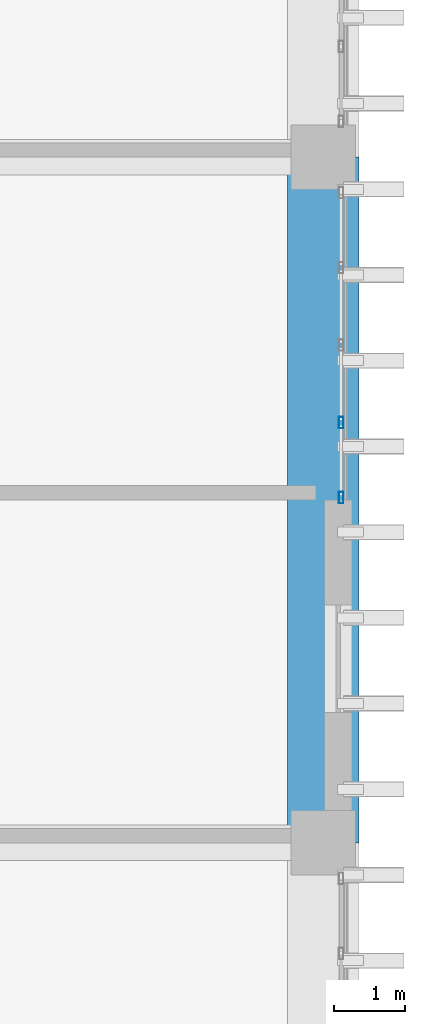
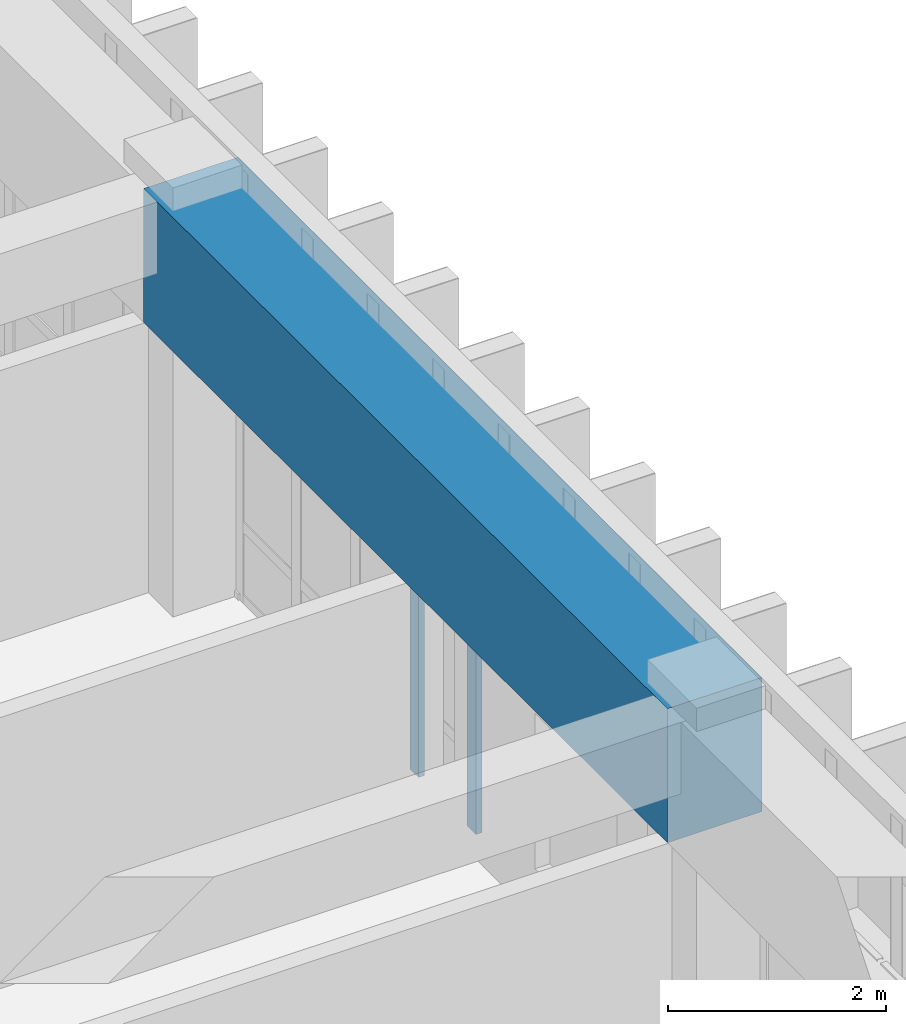
# One storey, part 34 of 101: 2 members, 1 beam, 1 element without a shape of its own.
"""IFC4 building model written with IfcOpenShell, lengths in metres."""

from ifc_helpers import new_model, si_unit, direction, frame, origin, origin_2d, place, context, subcontext, project, spatial, rectangle, hollow_rectangle, extrude, material, layer, layer_set, material_profile, profile_set, type_object, element, aggregate, save


model = new_model("IFC4")

# Units and contexts
model_context = context("Model", 3, precision=1e-05, world=origin(), true_north=direction((0.0, 1.0)))
body_context = subcontext(model_context, "Body", "Model", "MODEL_VIEW")
ifc_project = project(units=[si_unit("LENGTHUNIT", "METRE"), si_unit("AREAUNIT", "SQUARE_METRE"), si_unit("VOLUMEUNIT", "CUBIC_METRE"), si_unit("PLANEANGLEUNIT", "RADIAN"), si_unit("MASSUNIT", "GRAM", prefix="KILO")], contexts=[model_context])

# Site, building, storey
site_placement = place(None, origin())
site = spatial("IfcSite", under=ifc_project, at=site_placement, CompositionType="ELEMENT")
building_placement = place(site_placement, origin())
building = spatial("IfcBuilding", under=site, at=building_placement, Name="Nakhvara Creek Congress Hotel", CompositionType="ELEMENT")
storey_placement = place(building_placement, frame((0.0, 0.0, 16.199951171875)))
storey = spatial("IfcBuildingStorey", under=building, at=storey_placement, Name="L03", CompositionType="ELEMENT", Elevation=16.199951171875)

# Beam
ifc_material_1 = material(Name="Concrete C50/60", Category="concrete")
ifc_material_profile_1 = material_profile(ifc_material_1, rectangle(XDim=1.0, YDim=1.5, at=origin_2d()), Name="RC-TG 1000x1500", Category="LoadBearing")
ifc_profile_set_1 = profile_set([ifc_material_profile_1], Name="Concrete C50/60")
beam_type = type_object("IfcBeamType", Name="BM-TG2-1500", PredefinedType="BEAM", material=ifc_profile_set_1)
beam_placement = place(storey_placement, frame((179.35009765625, 9.60009765625, 3.7900390625), z_axis=(0.0, 1.0, 0.0), x_axis=(-1.0, 0.0, 0.0)))
element("IfcBeam", 1, at=beam_placement, inside=storey, type_object=beam_type, Name="Transfer Girder TG2-L03-1897", PredefinedType="BEAM", context=body_context, shape_type="SweptSolid", body=[
    extrude(rectangle(XDim=1.0, YDim=1.5, at=origin_2d()), origin(), (0.0, 0.0, 1.0), 9.599853515625),
])

# Curtain wall, members
ifc_material_2 = material(Name="Bronze-anodised aluminium AW-6063-T6 and double-silver low-E glass", Category="aluminium")
ifc_layer = layer(ifc_material_2, 0.199951171875)
ifc_layer_set = layer_set([ifc_layer], Name="Bronze-anodised aluminium AW-6063-T6 and double-silver low-E glass")
curtain_wall_type = type_object("IfcCurtainWallType", Name="CW-HTL-UNIT", PredefinedType="USERDEFINED", material=ifc_layer_set)
curtain_wall_placement = place(storey_placement, origin())
curtain_wall = element("IfcCurtainWall", 2, at=curtain_wall_placement, inside=storey, type_object=curtain_wall_type, Name="Curtain Wall CW152", ObjectType="UNITISED", PredefinedType="USERDEFINED")
ifc_material_3 = material(Name="Bronze-anodised aluminium AW-6063-T6", Category="aluminium")
ifc_material_profile_2 = material_profile(ifc_material_3, hollow_rectangle(XDim=0.06494140625, YDim=0.159912109375, WallThickness=0.00390625, at=origin_2d()), Name="ALU-MULL 65x160x4", Category="LoadBearing")
ifc_profile_set_2 = profile_set([ifc_material_profile_2], Name="Bronze-anodised aluminium AW-6063-T6")
member_type = type_object("IfcMemberType", Name="CW-MULL-160", PredefinedType="MULLION", material=ifc_profile_set_2)
member_1_placement = place(storey_placement, frame((179.60009765625, 15.483642578125, 0.0), z_axis=(0.0, 0.0, 1.0), x_axis=(1.0, 0.0, 0.0)))
member_1 = element("IfcMember", 3, at=member_1_placement, type_object=member_type, Name="CW152 mullion 4", PredefinedType="MULLION", context=body_context, shape_type="SweptSolid", body=[
    extrude(hollow_rectangle(XDim=0.06494140625, YDim=0.159912109375, WallThickness=0.00390625, at=origin_2d()), origin(), (0.0, 0.0, 1.0), 3.031982421875),
])
member_2_placement = place(storey_placement, frame((179.60009765625, 14.4326171875, 0.0), z_axis=(0.0, 0.0, 1.0), x_axis=(1.0, 0.0, 0.0)))
member_2 = element("IfcMember", 4, at=member_2_placement, type_object=member_type, Name="CW152 mullion 5", PredefinedType="MULLION", context=body_context, shape_type="SweptSolid", body=[
    extrude(hollow_rectangle(XDim=0.06494140625, YDim=0.159912109375, WallThickness=0.00390625, at=origin_2d()), origin(), (0.0, 0.0, 1.0), 3.031982421875),
])
aggregate(curtain_wall, [member_1, member_2])

save(model, "model.ifc")
